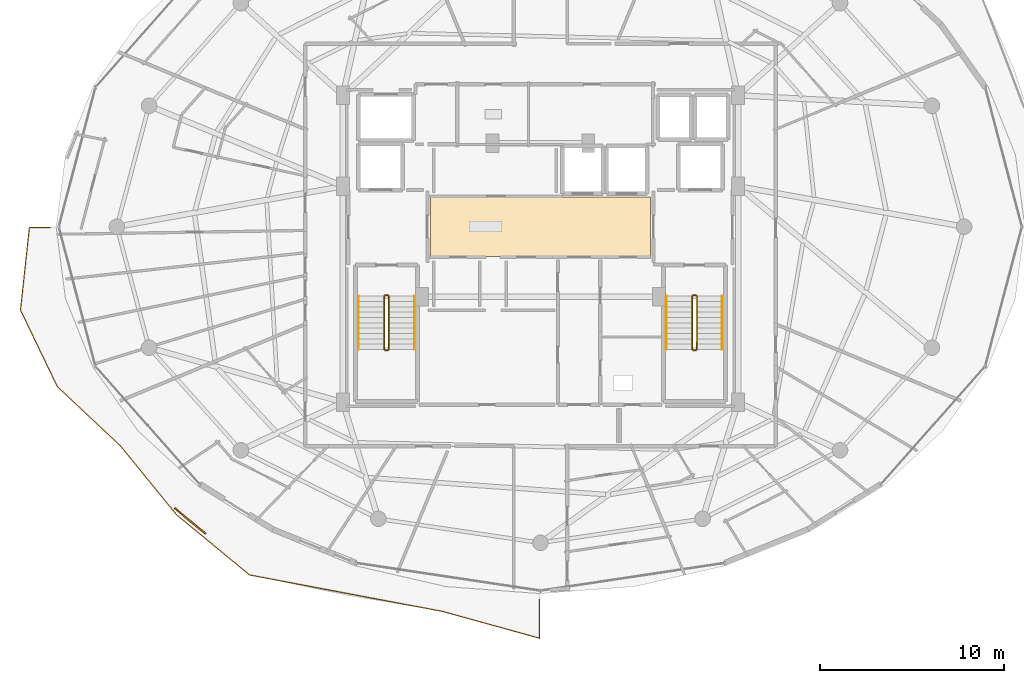
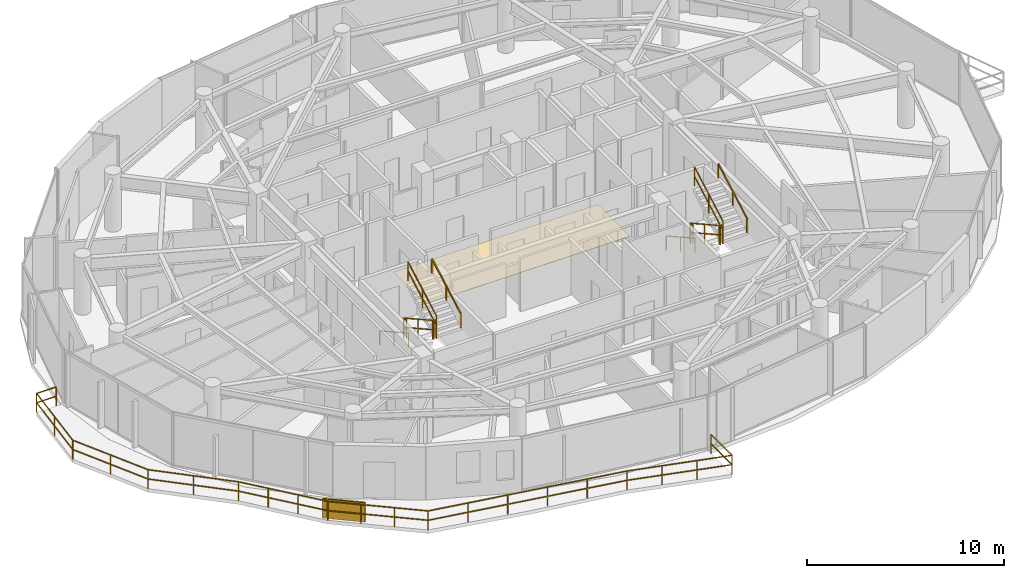
# One storey, part 30 of 32: 14 railings, 1 covering, 1 shading device.
"""IFC4 building model written with IfcOpenShell, lengths in metres."""

from ifc_helpers import new_model, si_unit, direction, frame, origin, origin_2d, place, context, subcontext, project, spatial, polyline, rectangle, outline, extrude, material, layer, layer_set, type_object, element, save


model = new_model("IFC4")

# Units and contexts
model_context = context("Model", 3, precision=1e-05, world=origin(), true_north=direction((0.0, 1.0)))
body_context = subcontext(model_context, "Body", "Model", "MODEL_VIEW")
ifc_project = project(units=[si_unit("LENGTHUNIT", "METRE"), si_unit("AREAUNIT", "SQUARE_METRE"), si_unit("VOLUMEUNIT", "CUBIC_METRE"), si_unit("PLANEANGLEUNIT", "RADIAN"), si_unit("MASSUNIT", "GRAM", prefix="KILO")], contexts=[model_context])

# Site, building, storey
site_placement = place(None, origin())
site = spatial("IfcSite", under=ifc_project, at=site_placement, CompositionType="ELEMENT")
building_placement = place(site_placement, origin())
building = spatial("IfcBuilding", under=site, at=building_placement, Name="Vorneva Point Tower", CompositionType="ELEMENT")
storey_placement = place(building_placement, frame((0.0, 0.0, 269.75)))
storey = spatial("IfcBuildingStorey", under=building, at=storey_placement, Name="L73", CompositionType="ELEMENT", Elevation=269.75)

# Covering
ifc_material_1 = material(Name="Acoustic wool hospitality carpet", Category="textile")
ifc_layer = layer(ifc_material_1, 0.01806640625)
ifc_layer_set = layer_set([ifc_layer], Name="Acoustic wool hospitality carpet")
covering_type = type_object("IfcCoveringType", Name="COV-FLR-CRP", PredefinedType="FLOORING", material=ifc_layer_set)
covering_placement = place(storey_placement, frame((0.0, 0.0, -0.0048828125)))
element("IfcCovering", 1, at=covering_placement, inside=storey, type_object=covering_type, Name="L73 Lift Lobby Floor Finish", PredefinedType="FLOORING", context=body_context, shape_type="SweptSolid", body=[
    extrude(outline(polyline([(32.02001953125, 24.3701171875), (43.97998046875, 24.3701171875), (43.97998046875, 27.6298828125), (32.02001953125, 27.6298828125), (32.02001953125, 24.3701171875)])), origin(), (0.0, 0.0, 1.0), 0.02294921875),
])

# Railings
ifc_material_2 = material(Name="Pale anodised aluminium", Category="aluminium")
railing_type_1 = type_object("IfcRailingType", Name="RL-BAL-1200", PredefinedType="BALUSTRADE", material=ifc_material_2)
railing_1_placement = place(storey_placement, frame((37.949951171875, 3.60888671875, 0.0)))
element("IfcRailing", 2, at=railing_1_placement, inside=storey, type_object=railing_type_1, Name="L73 Wave Balcony Balustrade SW.1", PredefinedType="BALUSTRADE", context=body_context, shape_type="SweptSolid", body=[
    extrude(rectangle(XDim=0.048095703125, YDim=0.048095703125, at=origin_2d()), frame((0.0, 0.0, 1.17578125), z_axis=(0.0, 1.0, 0.0), x_axis=(-1.0, 0.0, 0.0)), (0.0, 0.0, 1.0), 2.114013671875),
    extrude(rectangle(XDim=0.048095703125, YDim=0.048095703125, at=origin_2d()), frame((0.0, 0.0, 0.60009765625), z_axis=(0.0, 1.0, 0.0), x_axis=(-1.0, 0.0, 0.0)), (0.0, 0.0, 1.0), 2.114013671875),
    extrude(rectangle(XDim=0.0419921875, YDim=0.0419921875, at=origin_2d()), origin(), (0.0, 0.0, 1.0), 1.15185546875),
    extrude(rectangle(XDim=0.0419921875, YDim=0.0419921875, at=origin_2d()), frame((0.0, 2.114013671875, 0.0)), (0.0, 0.0, 1.0), 1.15185546875),
])
railing_2_placement = place(storey_placement, frame((11.333740234375, 25.949951171875, 0.0)))
element("IfcRailing", 3, at=railing_2_placement, inside=storey, type_object=railing_type_1, Name="L73 Wave Balcony Balustrade SW.2", PredefinedType="BALUSTRADE", context=body_context, shape_type="SweptSolid", body=[
    extrude(rectangle(XDim=0.048095703125, YDim=0.048095703125, at=origin_2d()), frame((0.0, 0.0, 1.17578125), z_axis=(-1.0, 0.0, 0.0), x_axis=(0.0, -1.0, 0.0)), (0.0, 0.0, 1.0), 1.14404296875),
    extrude(rectangle(XDim=0.048095703125, YDim=0.048095703125, at=origin_2d()), frame((0.0, 0.0, 0.60009765625), z_axis=(-1.0, 0.0, 0.0), x_axis=(0.0, -1.0, 0.0)), (0.0, 0.0, 1.0), 1.14404296875),
    extrude(rectangle(XDim=0.048095703125, YDim=0.048095703125, at=origin_2d()), frame((-1.14404296875, 0.0, 1.17578125), z_axis=(-0.106897954968, -0.994269997145, 0.0), x_axis=(0.994269997145, -0.106897954968, 0.0)), (0.0, 0.0, 1.0), 4.512939453125),
    extrude(rectangle(XDim=0.048095703125, YDim=0.048095703125, at=origin_2d()), frame((-1.14404296875, 0.0, 0.60009765625), z_axis=(-0.106897954968, -0.994269997145, 0.0), x_axis=(0.994269997145, -0.106897954968, 0.0)), (0.0, 0.0, 1.0), 4.512939453125),
    extrude(rectangle(XDim=0.048095703125, YDim=0.048095703125, at=origin_2d()), frame((-1.62646484375, -4.487060546875, 1.17578125), z_axis=(0.433277106533, -0.90126075525, 0.0), x_axis=(0.90126075525, 0.433277106533, 0.0)), (0.0, 0.0, 1.0), 4.62158203125),
    extrude(rectangle(XDim=0.048095703125, YDim=0.048095703125, at=origin_2d()), frame((-1.62646484375, -4.487060546875, 0.60009765625), z_axis=(0.433277106533, -0.90126075525, 0.0), x_axis=(0.90126075525, 0.433277106533, 0.0)), (0.0, 0.0, 1.0), 4.62158203125),
    extrude(rectangle(XDim=0.048095703125, YDim=0.048095703125, at=origin_2d()), frame((0.3759765625, -8.65234375, 1.17578125), z_axis=(0.729149057103, -0.684354917076, 0.0), x_axis=(0.684354917076, 0.729149057103, 0.0)), (0.0, 0.0, 1.0), 4.708984375),
    extrude(rectangle(XDim=0.048095703125, YDim=0.048095703125, at=origin_2d()), frame((0.3759765625, -8.65234375, 0.60009765625), z_axis=(0.729149057103, -0.684354917076, 0.0), x_axis=(0.684354917076, 0.729149057103, 0.0)), (0.0, 0.0, 1.0), 4.708984375),
    extrude(rectangle(XDim=0.048095703125, YDim=0.048095703125, at=origin_2d()), frame((3.8095703125, -11.875, 1.17578125), z_axis=(0.631285549874, -0.77555048483, 0.0), x_axis=(0.77555048483, 0.631285549874, 0.0)), (0.0, 0.0, 1.0), 4.826416015625),
    extrude(rectangle(XDim=0.048095703125, YDim=0.048095703125, at=origin_2d()), frame((3.8095703125, -11.875, 0.60009765625), z_axis=(0.631285549874, -0.77555048483, 0.0), x_axis=(0.77555048483, 0.631285549874, 0.0)), (0.0, 0.0, 1.0), 4.826416015625),
    extrude(rectangle(XDim=0.048095703125, YDim=0.048095703125, at=origin_2d()), frame((6.8564453125, -15.6181640625, 1.17578125), z_axis=(0.771678755272, -0.636012498825, 0.0), x_axis=(0.636012498825, 0.771678755272, 0.0)), (0.0, 0.0, 1.0), 5.157470703125),
    extrude(rectangle(XDim=0.048095703125, YDim=0.048095703125, at=origin_2d()), frame((6.8564453125, -15.6181640625, 0.60009765625), z_axis=(0.771678755272, -0.636012498825, 0.0), x_axis=(0.636012498825, 0.771678755272, 0.0)), (0.0, 0.0, 1.0), 5.157470703125),
    extrude(rectangle(XDim=0.048095703125, YDim=0.048095703125, at=origin_2d()), frame((10.83642578125, -18.8984375, 1.17578125), z_axis=(0.982621597908, -0.185620029427, 0.0), x_axis=(0.185620029427, 0.982621597908, 0.0)), (0.0, 0.0, 1.0), 10.6708984375),
    extrude(rectangle(XDim=0.048095703125, YDim=0.048095703125, at=origin_2d()), frame((10.83642578125, -18.8984375, 0.60009765625), z_axis=(0.982621597908, -0.185620029427, 0.0), x_axis=(0.185620029427, 0.982621597908, 0.0)), (0.0, 0.0, 1.0), 10.6708984375),
    extrude(rectangle(XDim=0.048095703125, YDim=0.048095703125, at=origin_2d()), frame((21.32177734375, -20.879150390625, 1.17578125), z_axis=(0.963928150656, -0.266162582594, 0.0), x_axis=(0.266162582594, 0.963928150656, 0.0)), (0.0, 0.0, 1.0), 5.49267578125),
    extrude(rectangle(XDim=0.048095703125, YDim=0.048095703125, at=origin_2d()), frame((21.32177734375, -20.879150390625, 0.60009765625), z_axis=(0.963928150656, -0.266162582594, 0.0), x_axis=(0.266162582594, 0.963928150656, 0.0)), (0.0, 0.0, 1.0), 5.49267578125),
    extrude(rectangle(XDim=0.0419921875, YDim=0.0419921875, at=origin_2d()), origin(), (0.0, 0.0, 1.0), 1.15185546875),
    extrude(rectangle(XDim=0.0419921875, YDim=0.0419921875, at=origin_2d()), frame((-1.14404296875, 0.0, 0.0)), (0.0, 0.0, 1.0), 1.15185546875),
    extrude(rectangle(XDim=0.0419921875, YDim=0.0419921875, at=origin_2d()), frame((-1.38525390625, -2.24365234375, 0.0)), (0.0, 0.0, 1.0), 1.15185546875),
    extrude(rectangle(XDim=0.0419921875, YDim=0.0419921875, at=origin_2d()), frame((-1.62646484375, -4.487060546875, 0.0)), (0.0, 0.0, 1.0), 1.15185546875),
    extrude(rectangle(XDim=0.0419921875, YDim=0.0419921875, at=origin_2d()), frame((-0.625244140625, -6.56982421875, 0.0)), (0.0, 0.0, 1.0), 1.15185546875),
    extrude(rectangle(XDim=0.0419921875, YDim=0.0419921875, at=origin_2d()), frame((0.3759765625, -8.65234375, 0.0)), (0.0, 0.0, 1.0), 1.15185546875),
    extrude(rectangle(XDim=0.0419921875, YDim=0.0419921875, at=origin_2d()), frame((2.0927734375, -10.263671875, 0.0)), (0.0, 0.0, 1.0), 1.15185546875),
    extrude(rectangle(XDim=0.0419921875, YDim=0.0419921875, at=origin_2d()), frame((3.8095703125, -11.875, 0.0)), (0.0, 0.0, 1.0), 1.15185546875),
    extrude(rectangle(XDim=0.0419921875, YDim=0.0419921875, at=origin_2d()), frame((4.8251953125, -13.122802734375, 0.0)), (0.0, 0.0, 1.0), 1.15185546875),
    extrude(rectangle(XDim=0.0419921875, YDim=0.0419921875, at=origin_2d()), frame((5.8408203125, -14.370361328125, 0.0)), (0.0, 0.0, 1.0), 1.15185546875),
    extrude(rectangle(XDim=0.0419921875, YDim=0.0419921875, at=origin_2d()), frame((6.8564453125, -15.6181640625, 0.0)), (0.0, 0.0, 1.0), 1.15185546875),
    extrude(rectangle(XDim=0.0419921875, YDim=0.0419921875, at=origin_2d()), frame((8.18310546875, -16.711669921875, 0.0)), (0.0, 0.0, 1.0), 1.15185546875),
    extrude(rectangle(XDim=0.0419921875, YDim=0.0419921875, at=origin_2d()), frame((9.509765625, -17.804931640625, 0.0)), (0.0, 0.0, 1.0), 1.15185546875),
    extrude(rectangle(XDim=0.0419921875, YDim=0.0419921875, at=origin_2d()), frame((10.83642578125, -18.8984375, 0.0)), (0.0, 0.0, 1.0), 1.15185546875),
    extrude(rectangle(XDim=0.0419921875, YDim=0.0419921875, at=origin_2d()), frame((12.93359375, -19.294677734375, 0.0)), (0.0, 0.0, 1.0), 1.15185546875),
    extrude(rectangle(XDim=0.0419921875, YDim=0.0419921875, at=origin_2d()), frame((15.030517578125, -19.690673828125, 0.0)), (0.0, 0.0, 1.0), 1.15185546875),
    extrude(rectangle(XDim=0.0419921875, YDim=0.0419921875, at=origin_2d()), frame((17.127685546875, -20.0869140625, 0.0)), (0.0, 0.0, 1.0), 1.15185546875),
    extrude(rectangle(XDim=0.0419921875, YDim=0.0419921875, at=origin_2d()), frame((19.224609375, -20.48291015625, 0.0)), (0.0, 0.0, 1.0), 1.15185546875),
    extrude(rectangle(XDim=0.0419921875, YDim=0.0419921875, at=origin_2d()), frame((21.32177734375, -20.879150390625, 0.0)), (0.0, 0.0, 1.0), 1.15185546875),
    extrude(rectangle(XDim=0.0419921875, YDim=0.0419921875, at=origin_2d()), frame((23.086669921875, -21.366455078125, 0.0)), (0.0, 0.0, 1.0), 1.15185546875),
    extrude(rectangle(XDim=0.0419921875, YDim=0.0419921875, at=origin_2d()), frame((24.851318359375, -21.853759765625, 0.0)), (0.0, 0.0, 1.0), 1.15185546875),
    extrude(rectangle(XDim=0.0419921875, YDim=0.0419921875, at=origin_2d()), frame((26.6162109375, -22.341064453125, 0.0)), (0.0, 0.0, 1.0), 1.15185546875),
])
ifc_material_3 = material(Name="Brushed stainless steel S304", Category="steel")
railing_type_2 = type_object("IfcRailingType", Name="RL-HND-920", PredefinedType="HANDRAIL", material=ifc_material_3)
railing_3_placement = place(storey_placement, frame((28.10009765625, 22.219970703125, 0.161376953125)))
element("IfcRailing", 4, at=railing_3_placement, inside=storey, type_object=railing_type_2, Name="L73 ST1 stair handrail 1", PredefinedType="HANDRAIL", context=body_context, shape_type="SweptSolid", body=[
    extrude(rectangle(XDim=0.048095703125, YDim=0.048095703125, at=origin_2d()), frame((0.0, 0.0, 0.8759765625), z_axis=(0.0, -0.873841303929, 0.486211245805), x_axis=(1.0, 0.0, 0.0)), (0.0, 0.0, 1.0), 3.318603515625),
    extrude(rectangle(XDim=0.0419921875, YDim=0.0419921875, at=origin_2d()), origin(), (0.0, 0.0, 1.0), 0.851806640625),
    extrude(rectangle(XDim=0.0419921875, YDim=0.0419921875, at=origin_2d()), frame((0.0, -1.449951171875, 0.806640625)), (0.0, 0.0, 1.0), 0.851806640625),
    extrude(rectangle(XDim=0.0419921875, YDim=0.0419921875, at=origin_2d()), frame((0.0, -2.89990234375, 1.613525390625)), (0.0, 0.0, 1.0), 0.851806640625),
])
railing_4_placement = place(storey_placement, frame((31.14990234375, 19.320068359375, 1.936279296875)))
element("IfcRailing", 5, at=railing_4_placement, inside=storey, type_object=railing_type_2, Name="L73 ST1 stair handrail 2", PredefinedType="HANDRAIL", context=body_context, shape_type="SweptSolid", body=[
    extrude(rectangle(XDim=0.048095703125, YDim=0.048095703125, at=origin_2d()), frame((0.0, 0.0, 0.8759765625), z_axis=(0.0, 0.873810046276, 0.486267419253), x_axis=(-1.0, 0.0, 0.0)), (0.0, 0.0, 1.0), 3.318603515625),
    extrude(rectangle(XDim=0.0419921875, YDim=0.0419921875, at=origin_2d()), origin(), (0.0, 0.0, 1.0), 0.851806640625),
    extrude(rectangle(XDim=0.0419921875, YDim=0.0419921875, at=origin_2d()), frame((0.0, 1.449951171875, 0.806884765625)), (0.0, 0.0, 1.0), 0.851806640625),
    extrude(rectangle(XDim=0.0419921875, YDim=0.0419921875, at=origin_2d()), frame((0.0, 2.89990234375, 1.61376953125)), (0.0, 0.0, 1.0), 0.851806640625),
])
railing_5_placement = place(storey_placement, frame((44.85009765625, 22.219970703125, 0.161376953125)))
element("IfcRailing", 6, at=railing_5_placement, inside=storey, type_object=railing_type_2, Name="L73 ST2 stair handrail 1", PredefinedType="HANDRAIL", context=body_context, shape_type="SweptSolid", body=[
    extrude(rectangle(XDim=0.048095703125, YDim=0.048095703125, at=origin_2d()), frame((0.0, 0.0, 0.8759765625), z_axis=(0.0, -0.873841303929, 0.486211245805), x_axis=(1.0, 0.0, 0.0)), (0.0, 0.0, 1.0), 3.318603515625),
    extrude(rectangle(XDim=0.0419921875, YDim=0.0419921875, at=origin_2d()), origin(), (0.0, 0.0, 1.0), 0.851806640625),
    extrude(rectangle(XDim=0.0419921875, YDim=0.0419921875, at=origin_2d()), frame((0.0, -1.449951171875, 0.806640625)), (0.0, 0.0, 1.0), 0.851806640625),
    extrude(rectangle(XDim=0.0419921875, YDim=0.0419921875, at=origin_2d()), frame((0.0, -2.89990234375, 1.613525390625)), (0.0, 0.0, 1.0), 0.851806640625),
])
railing_6_placement = place(storey_placement, frame((47.89990234375, 19.320068359375, 1.936279296875)))
element("IfcRailing", 7, at=railing_6_placement, inside=storey, type_object=railing_type_2, Name="L73 ST2 stair handrail 2", PredefinedType="HANDRAIL", context=body_context, shape_type="SweptSolid", body=[
    extrude(rectangle(XDim=0.048095703125, YDim=0.048095703125, at=origin_2d()), frame((0.0, 0.0, 0.8759765625), z_axis=(0.0, 0.873810046276, 0.486267419253), x_axis=(-1.0, 0.0, 0.0)), (0.0, 0.0, 1.0), 3.318603515625),
    extrude(rectangle(XDim=0.0419921875, YDim=0.0419921875, at=origin_2d()), origin(), (0.0, 0.0, 1.0), 0.851806640625),
    extrude(rectangle(XDim=0.0419921875, YDim=0.0419921875, at=origin_2d()), frame((0.0, 1.449951171875, 0.806884765625)), (0.0, 0.0, 1.0), 0.851806640625),
    extrude(rectangle(XDim=0.0419921875, YDim=0.0419921875, at=origin_2d()), frame((0.0, 2.89990234375, 1.61376953125)), (0.0, 0.0, 1.0), 0.851806640625),
])
railing_type_3 = type_object("IfcRailingType", Name="RL-STG-1100", PredefinedType="GUARDRAIL", material=ifc_material_3)
railing_7_placement = place(storey_placement, frame((29.5, 22.219970703125, 0.161376953125)))
element("IfcRailing", 8, at=railing_7_placement, inside=storey, type_object=railing_type_3, Name="L73 ST1 stair guard 1", PredefinedType="GUARDRAIL", context=body_context, shape_type="SweptSolid", body=[
    extrude(rectangle(XDim=0.048095703125, YDim=0.048095703125, at=origin_2d()), frame((0.0, 0.0, 1.17578125), z_axis=(0.0, -0.873841303929, 0.486211245805), x_axis=(1.0, 0.0, 0.0)), (0.0, 0.0, 1.0), 3.318603515625),
    extrude(rectangle(XDim=0.048095703125, YDim=0.048095703125, at=origin_2d()), frame((0.0, 0.0, 0.60009765625), z_axis=(0.0, -0.873841303929, 0.486211245805), x_axis=(1.0, 0.0, 0.0)), (0.0, 0.0, 1.0), 3.318603515625),
    extrude(rectangle(XDim=0.0419921875, YDim=0.0419921875, at=origin_2d()), origin(), (0.0, 0.0, 1.0), 1.15185546875),
    extrude(rectangle(XDim=0.0419921875, YDim=0.0419921875, at=origin_2d()), frame((0.0, -1.449951171875, 0.806640625)), (0.0, 0.0, 1.0), 1.15185546875),
    extrude(rectangle(XDim=0.0419921875, YDim=0.0419921875, at=origin_2d()), frame((0.0, -2.89990234375, 1.613525390625)), (0.0, 0.0, 1.0), 1.15185546875),
])
railing_8_placement = place(storey_placement, frame((29.550048828125, 19.27001953125, 1.77490234375)))
element("IfcRailing", 9, at=railing_8_placement, inside=storey, type_object=railing_type_3, Name="L73 ST1 stair guard 2", PredefinedType="GUARDRAIL", context=body_context, shape_type="SweptSolid", body=[
    extrude(rectangle(XDim=0.048095703125, YDim=0.048095703125, at=origin_2d()), frame((0.0, 0.0, 1.17578125), z_axis=(1.0, 0.0, 0.0), x_axis=(0.0, 1.0, 0.0)), (0.0, 0.0, 1.0), 0.14990234375),
    extrude(rectangle(XDim=0.048095703125, YDim=0.048095703125, at=origin_2d()), frame((0.0, 0.0, 0.60009765625), z_axis=(1.0, 0.0, 0.0), x_axis=(0.0, 1.0, 0.0)), (0.0, 0.0, 1.0), 0.14990234375),
    extrude(rectangle(XDim=0.0419921875, YDim=0.0419921875, at=origin_2d()), origin(), (0.0, 0.0, 1.0), 1.15185546875),
    extrude(rectangle(XDim=0.0419921875, YDim=0.0419921875, at=origin_2d()), frame((0.14990234375, 0.0, 0.0)), (0.0, 0.0, 1.0), 1.15185546875),
])
railing_9_placement = place(storey_placement, frame((29.75, 19.320068359375, 1.936279296875)))
element("IfcRailing", 10, at=railing_9_placement, inside=storey, type_object=railing_type_3, Name="L73 ST1 stair guard 3", PredefinedType="GUARDRAIL", context=body_context, shape_type="SweptSolid", body=[
    extrude(rectangle(XDim=0.048095703125, YDim=0.048095703125, at=origin_2d()), frame((0.0, 0.0, 1.17578125), z_axis=(0.0, 0.873810046276, 0.486267419253), x_axis=(-1.0, 0.0, 0.0)), (0.0, 0.0, 1.0), 3.318603515625),
    extrude(rectangle(XDim=0.048095703125, YDim=0.048095703125, at=origin_2d()), frame((0.0, 0.0, 0.60009765625), z_axis=(0.0, 0.873810046276, 0.486267419253), x_axis=(-1.0, 0.0, 0.0)), (0.0, 0.0, 1.0), 3.318603515625),
    extrude(rectangle(XDim=0.0419921875, YDim=0.0419921875, at=origin_2d()), origin(), (0.0, 0.0, 1.0), 1.15185546875),
    extrude(rectangle(XDim=0.0419921875, YDim=0.0419921875, at=origin_2d()), frame((0.0, 1.449951171875, 0.806884765625)), (0.0, 0.0, 1.0), 1.15185546875),
    extrude(rectangle(XDim=0.0419921875, YDim=0.0419921875, at=origin_2d()), frame((0.0, 2.89990234375, 1.61376953125)), (0.0, 0.0, 1.0), 1.15185546875),
])
railing_10_placement = place(storey_placement, frame((29.550048828125, 22.27001953125, 0.0)))
element("IfcRailing", 11, at=railing_10_placement, inside=storey, type_object=railing_type_3, Name="L73 ST1 stair guard 4", PredefinedType="GUARDRAIL", context=body_context, shape_type="SweptSolid", body=[
    extrude(rectangle(XDim=0.048095703125, YDim=0.048095703125, at=origin_2d()), frame((0.0, 0.0, 1.17578125), z_axis=(1.0, 0.0, 0.0), x_axis=(0.0, 1.0, 0.0)), (0.0, 0.0, 1.0), 0.14990234375),
    extrude(rectangle(XDim=0.048095703125, YDim=0.048095703125, at=origin_2d()), frame((0.0, 0.0, 0.60009765625), z_axis=(1.0, 0.0, 0.0), x_axis=(0.0, 1.0, 0.0)), (0.0, 0.0, 1.0), 0.14990234375),
    extrude(rectangle(XDim=0.0419921875, YDim=0.0419921875, at=origin_2d()), origin(), (0.0, 0.0, 1.0), 1.15185546875),
    extrude(rectangle(XDim=0.0419921875, YDim=0.0419921875, at=origin_2d()), frame((0.14990234375, 0.0, 0.0)), (0.0, 0.0, 1.0), 1.15185546875),
])
railing_11_placement = place(storey_placement, frame((46.25, 22.219970703125, 0.161376953125)))
element("IfcRailing", 12, at=railing_11_placement, inside=storey, type_object=railing_type_3, Name="L73 ST2 stair guard 1", PredefinedType="GUARDRAIL", context=body_context, shape_type="SweptSolid", body=[
    extrude(rectangle(XDim=0.048095703125, YDim=0.048095703125, at=origin_2d()), frame((0.0, 0.0, 1.17578125), z_axis=(0.0, -0.873841303929, 0.486211245805), x_axis=(1.0, 0.0, 0.0)), (0.0, 0.0, 1.0), 3.318603515625),
    extrude(rectangle(XDim=0.048095703125, YDim=0.048095703125, at=origin_2d()), frame((0.0, 0.0, 0.60009765625), z_axis=(0.0, -0.873841303929, 0.486211245805), x_axis=(1.0, 0.0, 0.0)), (0.0, 0.0, 1.0), 3.318603515625),
    extrude(rectangle(XDim=0.0419921875, YDim=0.0419921875, at=origin_2d()), origin(), (0.0, 0.0, 1.0), 1.15185546875),
    extrude(rectangle(XDim=0.0419921875, YDim=0.0419921875, at=origin_2d()), frame((0.0, -1.449951171875, 0.806640625)), (0.0, 0.0, 1.0), 1.15185546875),
    extrude(rectangle(XDim=0.0419921875, YDim=0.0419921875, at=origin_2d()), frame((0.0, -2.89990234375, 1.613525390625)), (0.0, 0.0, 1.0), 1.15185546875),
])
railing_12_placement = place(storey_placement, frame((46.300048828125, 19.27001953125, 1.77490234375)))
element("IfcRailing", 13, at=railing_12_placement, inside=storey, type_object=railing_type_3, Name="L73 ST2 stair guard 2", PredefinedType="GUARDRAIL", context=body_context, shape_type="SweptSolid", body=[
    extrude(rectangle(XDim=0.048095703125, YDim=0.048095703125, at=origin_2d()), frame((0.0, 0.0, 1.17578125), z_axis=(1.0, 0.0, 0.0), x_axis=(0.0, 1.0, 0.0)), (0.0, 0.0, 1.0), 0.14990234375),
    extrude(rectangle(XDim=0.048095703125, YDim=0.048095703125, at=origin_2d()), frame((0.0, 0.0, 0.60009765625), z_axis=(1.0, 0.0, 0.0), x_axis=(0.0, 1.0, 0.0)), (0.0, 0.0, 1.0), 0.14990234375),
    extrude(rectangle(XDim=0.0419921875, YDim=0.0419921875, at=origin_2d()), origin(), (0.0, 0.0, 1.0), 1.15185546875),
    extrude(rectangle(XDim=0.0419921875, YDim=0.0419921875, at=origin_2d()), frame((0.14990234375, 0.0, 0.0)), (0.0, 0.0, 1.0), 1.15185546875),
])
railing_13_placement = place(storey_placement, frame((46.5, 19.320068359375, 1.936279296875)))
element("IfcRailing", 14, at=railing_13_placement, inside=storey, type_object=railing_type_3, Name="L73 ST2 stair guard 3", PredefinedType="GUARDRAIL", context=body_context, shape_type="SweptSolid", body=[
    extrude(rectangle(XDim=0.048095703125, YDim=0.048095703125, at=origin_2d()), frame((0.0, 0.0, 1.17578125), z_axis=(0.0, 0.873810046276, 0.486267419253), x_axis=(-1.0, 0.0, 0.0)), (0.0, 0.0, 1.0), 3.318603515625),
    extrude(rectangle(XDim=0.048095703125, YDim=0.048095703125, at=origin_2d()), frame((0.0, 0.0, 0.60009765625), z_axis=(0.0, 0.873810046276, 0.486267419253), x_axis=(-1.0, 0.0, 0.0)), (0.0, 0.0, 1.0), 3.318603515625),
    extrude(rectangle(XDim=0.0419921875, YDim=0.0419921875, at=origin_2d()), origin(), (0.0, 0.0, 1.0), 1.15185546875),
    extrude(rectangle(XDim=0.0419921875, YDim=0.0419921875, at=origin_2d()), frame((0.0, 1.449951171875, 0.806884765625)), (0.0, 0.0, 1.0), 1.15185546875),
    extrude(rectangle(XDim=0.0419921875, YDim=0.0419921875, at=origin_2d()), frame((0.0, 2.89990234375, 1.61376953125)), (0.0, 0.0, 1.0), 1.15185546875),
])
railing_14_placement = place(storey_placement, frame((46.300048828125, 22.27001953125, 0.0)))
element("IfcRailing", 15, at=railing_14_placement, inside=storey, type_object=railing_type_3, Name="L73 ST2 stair guard 4", PredefinedType="GUARDRAIL", context=body_context, shape_type="SweptSolid", body=[
    extrude(rectangle(XDim=0.048095703125, YDim=0.048095703125, at=origin_2d()), frame((0.0, 0.0, 1.17578125), z_axis=(1.0, 0.0, 0.0), x_axis=(0.0, 1.0, 0.0)), (0.0, 0.0, 1.0), 0.14990234375),
    extrude(rectangle(XDim=0.048095703125, YDim=0.048095703125, at=origin_2d()), frame((0.0, 0.0, 0.60009765625), z_axis=(1.0, 0.0, 0.0), x_axis=(0.0, 1.0, 0.0)), (0.0, 0.0, 1.0), 0.14990234375),
    extrude(rectangle(XDim=0.0419921875, YDim=0.0419921875, at=origin_2d()), origin(), (0.0, 0.0, 1.0), 1.15185546875),
    extrude(rectangle(XDim=0.0419921875, YDim=0.0419921875, at=origin_2d()), frame((0.14990234375, 0.0, 0.0)), (0.0, 0.0, 1.0), 1.15185546875),
])

# Shading device
shading_device_type = type_object("IfcShadingDeviceType", Name="SHD-JAL-1200", PredefinedType="JALOUSIE", material=ifc_material_2)
shading_device_placement = place(storey_placement, frame((18.94091796875, 9.993408203125, -0.02001953125), z_axis=(0.0, 0.0, 1.0), x_axis=(0.771657887308, -0.636037817237, 0.0)))
element("IfcShadingDevice", 16, at=shading_device_placement, inside=storey, type_object=shading_device_type, Name="L73 Balcony Vertical-Greenery Planter Screen SW.2", PredefinedType="JALOUSIE", context=body_context, shape_type="SweptSolid", body=[
    extrude(rectangle(XDim=2.199951171875, YDim=0.080078125, at=origin_2d()), origin(), (0.0, 0.0, 1.0), 1.199951171875),
])

save(model, "model.ifc")
